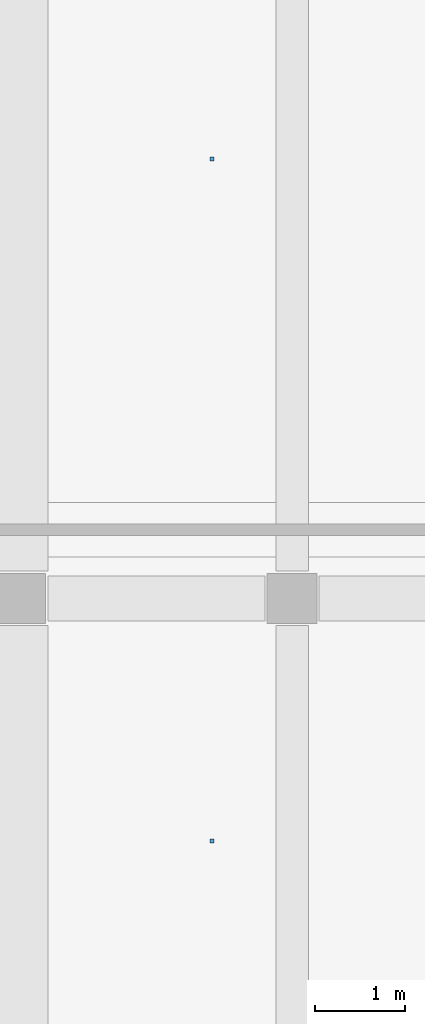
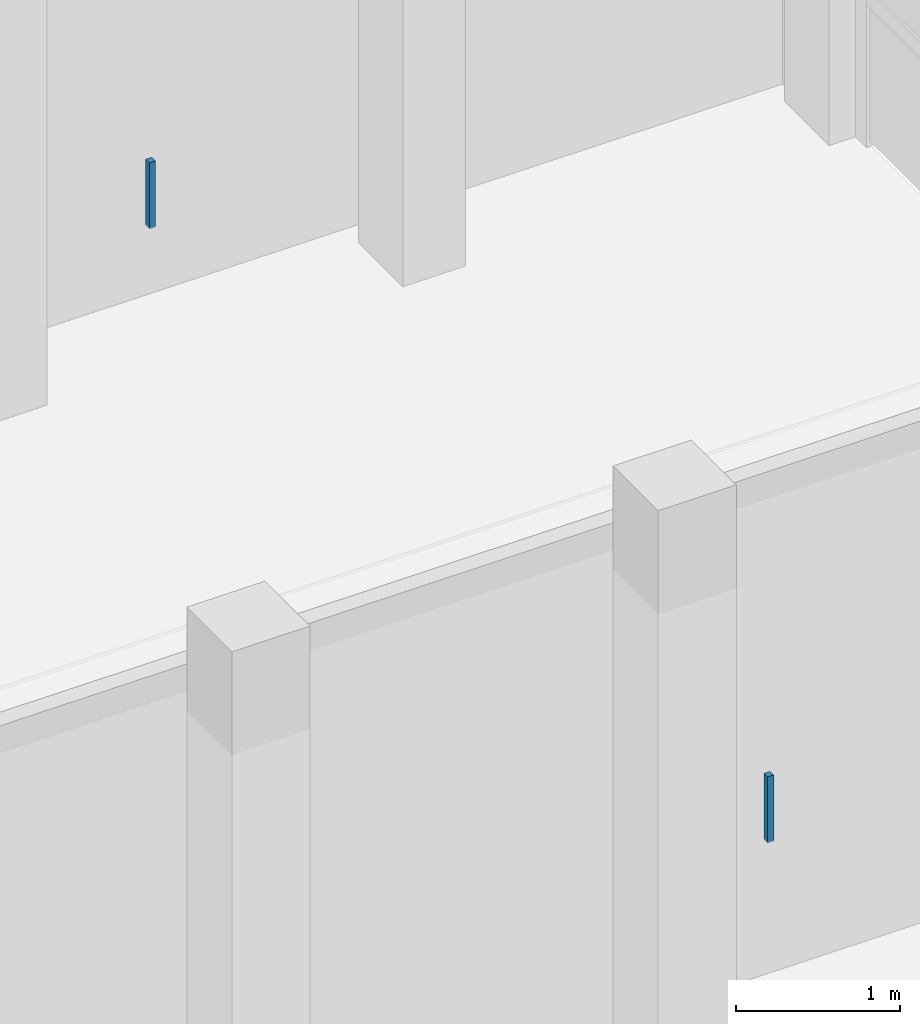
# One storey, part 69 of 95: 2 discrete accessories.
"""IFC4 building model written with IfcOpenShell, lengths in metres."""

from ifc_helpers import new_model, si_unit, derived_unit, direction, frame, origin, origin_2d, place, context, subcontext, project, spatial, rectangle, extrude, material, type_object, element, save


model = new_model("IFC4")

# Units and contexts
model_context = context("Model", 3, precision=1e-05, world=origin(), true_north=direction((0.0, 1.0)))
body_context = subcontext(model_context, "Body", "Model", "MODEL_VIEW")
ifc_project = project(units=[si_unit("LENGTHUNIT", "METRE"), si_unit("AREAUNIT", "SQUARE_METRE"), si_unit("VOLUMEUNIT", "CUBIC_METRE"), si_unit("PLANEANGLEUNIT", "RADIAN"), si_unit("MASSUNIT", "GRAM", prefix="KILO"), derived_unit("THERMALTRANSMITTANCEUNIT", [(si_unit("POWERUNIT", "WATT"), 1), (si_unit("LENGTHUNIT", "METRE"), -2), (si_unit("THERMODYNAMICTEMPERATUREUNIT", "KELVIN"), -1)])], contexts=[model_context])

# Site, building, storey
site_placement = place(None, origin())
site = spatial("IfcSite", under=ifc_project, at=site_placement, CompositionType="ELEMENT")
building_placement = place(site_placement, origin())
building = spatial("IfcBuilding", under=site, at=building_placement, Name="Braskholm Square Health Centre", CompositionType="ELEMENT")
storey_placement = place(building_placement, frame((0.0, 0.0, 4.800048828125)))
storey = spatial("IfcBuildingStorey", under=building, at=storey_placement, Name="L02", CompositionType="ELEMENT", Elevation=4.800048828125)

# Discrete accessories
ifc_material = material(Name="Steel ASTM A500 Grade C", Category="steel")
discrete_accessory_type = type_object("IfcDiscreteAccessoryType", Name="CeilingSuspensionBracket", PredefinedType="BRACKET", material=ifc_material)
for number, where, z_axis, x_axis, name in (
    (1, (21.31494140625, 52.719970703125, 3.72216796875), (0.0, 0.0, 1.0), (1.0, 0.0, 0.0), "Ceiling hanger bracket 0038"),
    (2, (21.31494140625, 60.2548828125, 3.72216796875), (0.0, 0.0, 1.0), (1.0, 0.0, 0.0), "Ceiling hanger bracket 0039"),
):
    element("IfcDiscreteAccessory", number, at=place(storey_placement, frame(where, z_axis=z_axis, x_axis=x_axis)), inside=storey, type_object=discrete_accessory_type, Name=name, PredefinedType="BRACKET", context=body_context, shape_type="SweptSolid", body=[
        extrude(rectangle(XDim=0.044921875, YDim=0.044921875, at=origin_2d()), origin(), (0.0, 0.0, 1.0), 0.489990234375),
    ])

save(model, "model.ifc")
